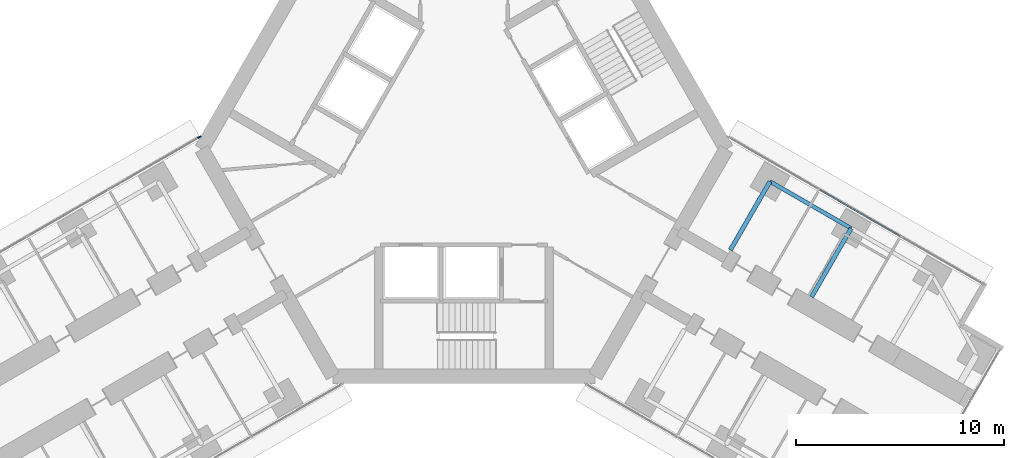
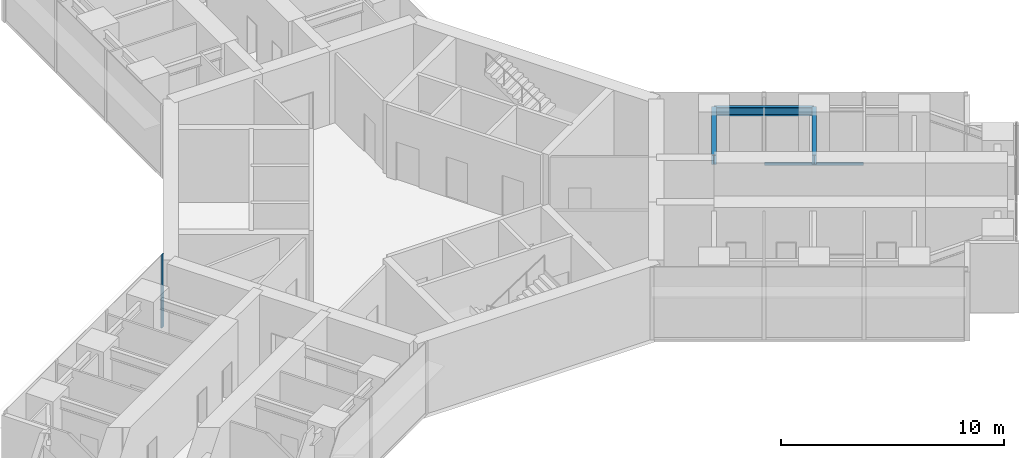
# One storey, part 10 of 25: 3 beams, 2 members, 2 elements without a shape of their own.
"""IFC4 building model written with IfcOpenShell, lengths in metres."""

from ifc_helpers import new_model, si_unit, direction, frame, origin, origin_2d, place, context, subcontext, project, spatial, rectangle, i_section, extrude, material, material_profile, profile_set, type_object, element, aggregate, save


model = new_model("IFC4")

# Units and contexts
model_context = context("Model", 3, precision=1e-05, world=origin(), true_north=direction((0.0, 1.0)))
body_context = subcontext(model_context, "Body", "Model", "MODEL_VIEW")
ifc_project = project(units=[si_unit("LENGTHUNIT", "METRE"), si_unit("AREAUNIT", "SQUARE_METRE"), si_unit("VOLUMEUNIT", "CUBIC_METRE"), si_unit("PLANEANGLEUNIT", "RADIAN"), si_unit("MASSUNIT", "GRAM", prefix="KILO")], contexts=[model_context])

# Site, building, storey
site_placement = place(None, origin())
site = spatial("IfcSite", under=ifc_project, at=site_placement, CompositionType="ELEMENT")
building_placement = place(site_placement, origin())
building = spatial("IfcBuilding", under=site, at=building_placement, Name="Upepo Twin Towers", CompositionType="ELEMENT")
storey_placement = place(building_placement, frame((0.0, 0.0, 84.5)))
storey = spatial("IfcBuildingStorey", under=building, at=storey_placement, Name="L20", CompositionType="ELEMENT", Elevation=84.5)

# Beams
ifc_material_1 = material(Name="Steel S355", Category="steel")
ifc_material_profile_1 = material_profile(ifc_material_1, i_section(OverallWidth=0.1904296875, OverallDepth=0.45703125, WebThickness=0.009033203125, FlangeThickness=0.014404296875, FilletRadius=0.01025390625, at=origin_2d()), Name="UB 457x191x74")
ifc_profile_set_1 = profile_set([ifc_material_profile_1], Name="Steel S355")
beam_type_1 = type_object("IfcBeamType", Name="Beam UB 457x191x74", PredefinedType="BEAM", material=ifc_profile_set_1)
beam_1_placement = place(storey_placement, frame((73.19140625, -19.553955078125, 3.571533203125), z_axis=(0.866017533419, -0.500013631625, 0.0), x_axis=(0.500013631625, 0.866017533419, 0.0)))
element("IfcBeam", 1, at=beam_1_placement, inside=storey, type_object=beam_type_1, Name="T2 edge beam CL 13.5-18.0", PredefinedType="BEAM", context=body_context, shape_type="SweptSolid", body=[
    extrude(i_section(OverallWidth=0.1904296875, OverallDepth=0.45703125, WebThickness=0.009033203125, FlangeThickness=0.014404296875, FilletRadius=0.01025390625, at=origin_2d()), origin(), (0.0, 0.0, 1.0), 4.499755859375),
])
ifc_material_2 = material(Name="Steel S355", Category="steel")
ifc_material_profile_2 = material_profile(ifc_material_2, i_section(OverallWidth=0.209228515625, OverallDepth=0.533203125, WebThickness=0.010009765625, FlangeThickness=0.015625, FilletRadius=0.0126953125, at=origin_2d()), Name="UB 533x210x92")
ifc_profile_set_2 = profile_set([ifc_material_profile_2], Name="Steel S355")
beam_type_2 = type_object("IfcBeamType", Name="Beam UB 533x210x92", PredefinedType="BEAM", material=ifc_profile_set_2)
beam_2_placement = place(storey_placement, frame((73.19140625, -19.553955078125, 3.533447265625), z_axis=(-0.500043160704, -0.866000483506, 0.0), x_axis=(0.866000483506, -0.500043160704, 0.0)))
element("IfcBeam", 2, at=beam_2_placement, inside=storey, type_object=beam_type_2, Name="T2 girder CL at 13.5", PredefinedType="BEAM", context=body_context, shape_type="SweptSolid", body=[
    extrude(i_section(OverallWidth=0.209228515625, OverallDepth=0.533203125, WebThickness=0.010009765625, FlangeThickness=0.015625, FilletRadius=0.0126953125, at=origin_2d()), origin(), (0.0, 0.0, 1.0), 3.800048828125),
])
beam_3_placement = place(storey_placement, frame((77.08837890625, -21.803955078125, 3.533447265625), z_axis=(-0.499994975061, -0.866028304915, 0.0), x_axis=(0.866028304915, -0.499994975061, 0.0)))
element("IfcBeam", 3, at=beam_3_placement, inside=storey, type_object=beam_type_2, Name="T2 girder CL at 18.0", PredefinedType="BEAM", context=body_context, shape_type="SweptSolid", body=[
    extrude(i_section(OverallWidth=0.209228515625, OverallDepth=0.533203125, WebThickness=0.010009765625, FlangeThickness=0.015625, FilletRadius=0.0126953125, at=origin_2d()), origin(), (0.0, 0.0, 1.0), 3.7998046875),
])

# Curtain wall, member
ifc_material_3 = material(Name="Aluminium and fritted glass", Category="aluminium")
curtain_wall_type = type_object("IfcCurtainWallType", Name="Tower curtain wall TW1, fritted glass", PredefinedType="NOTDEFINED", material=ifc_material_3)
curtain_wall_1_placement = place(storey_placement, origin())
curtain_wall_1 = element("IfcCurtainWall", 4, at=curtain_wall_1_placement, inside=storey, type_object=curtain_wall_type, Name="T2 L20 wing B flank R curtain wall", PredefinedType="NOTDEFINED")
ifc_material_4 = material(Name="Aluminium mullion", Category="aluminium")
ifc_material_profile_3 = material_profile(ifc_material_4, rectangle(XDim=0.06494140625, YDim=0.179931640625, at=origin_2d()), Name="MULLION 65x180")
ifc_profile_set_3 = profile_set([ifc_material_profile_3], Name="Aluminium mullion")
member_type_1 = type_object("IfcMemberType", Name="Mullion 65x180 TW1", PredefinedType="MULLION", material=ifc_profile_set_3)
member_1_placement = place(storey_placement, frame((45.79150390625, -17.427490234375, 0.0), z_axis=(0.0, 0.0, 1.0), x_axis=(-0.500000024426, 0.866025389682, 0.0)))
member_1 = element("IfcMember", 5, at=member_1_placement, type_object=member_type_1, Name="T2 L20 wing B flank R curtain wall mullion 4", PredefinedType="MULLION", context=body_context, shape_type="SweptSolid", body=[
    extrude(rectangle(XDim=0.06494140625, YDim=0.179931640625, at=origin_2d()), origin(), (0.0, 0.0, 1.0), 4.0),
])
aggregate(curtain_wall_1, [member_1])

curtain_wall_2_placement = place(storey_placement, origin())
curtain_wall_2 = element("IfcCurtainWall", 6, at=curtain_wall_2_placement, inside=storey, type_object=curtain_wall_type, Name="T2 L20 wing C flank L curtain wall", PredefinedType="NOTDEFINED")
ifc_material_5 = material(Name="Aluminium transom", Category="aluminium")
ifc_material_profile_4 = material_profile(ifc_material_5, rectangle(XDim=0.06494140625, YDim=0.14990234375, at=origin_2d()), Name="TRANSOM 65x150")
ifc_profile_set_4 = profile_set([ifc_material_profile_4], Name="Aluminium transom")
member_type_2 = type_object("IfcMemberType", Name="Transom 65x150 TW1", PredefinedType="USERDEFINED", material=ifc_profile_set_4)
member_2_placement = place(storey_placement, frame((75.593017578125, -19.958984375, 0.074951171875), z_axis=(0.866022410713, -0.500005184116, 0.0), x_axis=(0.500005184116, 0.866022410713, 0.0)))
member_2 = element("IfcMember", 7, at=member_2_placement, type_object=member_type_2, Name="T2 L20 wing C flank L curtain wall transom 2", ObjectType="TRANSOM", PredefinedType="USERDEFINED", context=body_context, shape_type="SweptSolid", body=[
    extrude(rectangle(XDim=0.06494140625, YDim=0.14990234375, at=origin_2d()), origin(), (0.0, 0.0, 1.0), 4.43505859375),
])
aggregate(curtain_wall_2, [member_2])

save(model, "model.ifc")
